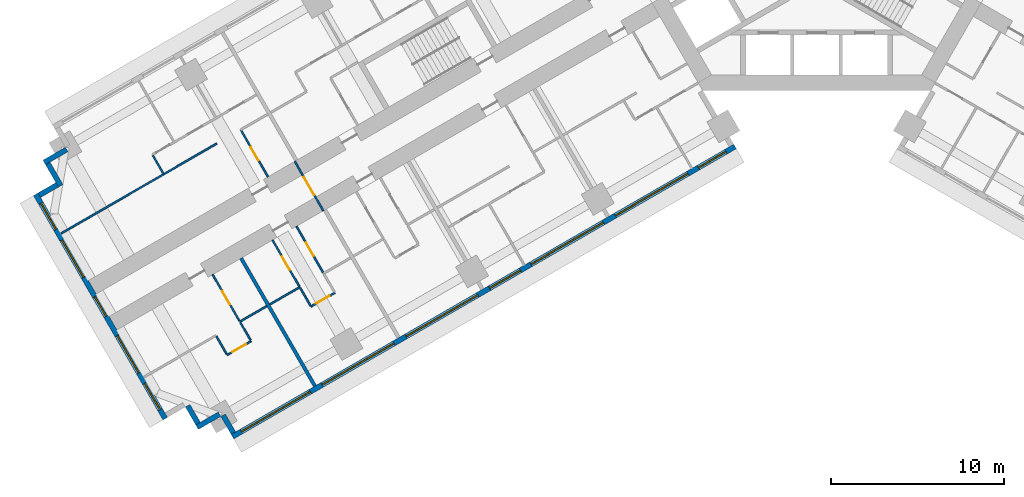
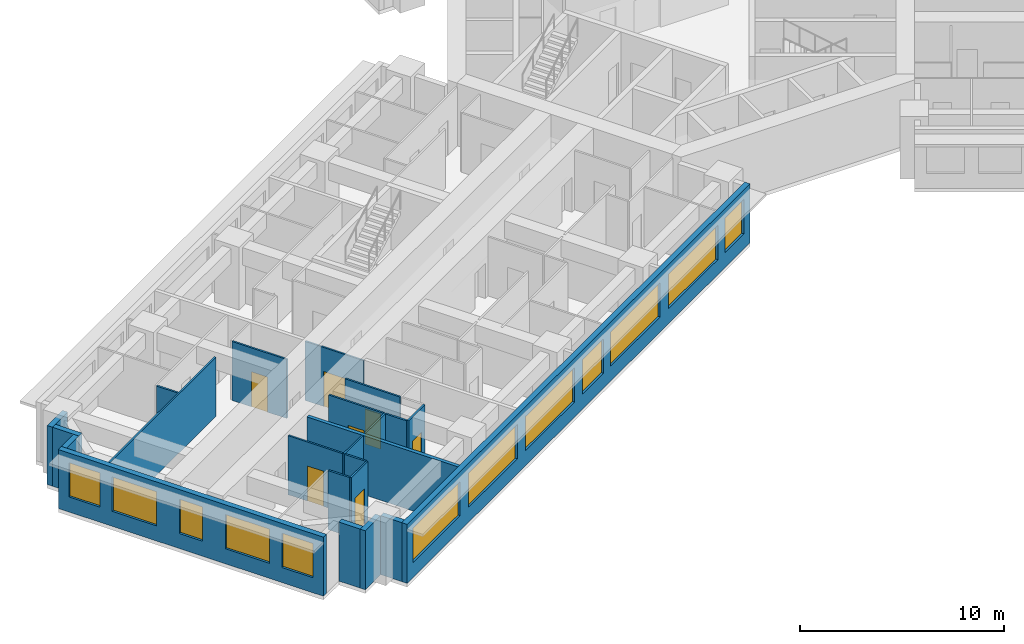
# One storey, part 3 of 16: 23 walls, 12 windows, 7 doors, 19 openings.
"""IFC4 building model written with IfcOpenShell, lengths in metres."""

from ifc_helpers import new_model, si_unit, direction, frame, frame_2d, origin, place, context, subcontext, project, spatial, rectangle, extrude, material, layer, layer_set, type_object, element, fill, save


model = new_model("IFC4")

# Units and contexts
model_context = context("Model", 3, precision=1e-05, world=origin(), true_north=direction((0.0, 1.0)))
body_context = subcontext(model_context, "Body", "Model", "MODEL_VIEW")
ifc_project = project(units=[si_unit("LENGTHUNIT", "METRE"), si_unit("AREAUNIT", "SQUARE_METRE"), si_unit("VOLUMEUNIT", "CUBIC_METRE"), si_unit("PLANEANGLEUNIT", "RADIAN"), si_unit("MASSUNIT", "GRAM", prefix="KILO")], contexts=[model_context])

# Site, building, storey
site_placement = place(None, origin())
site = spatial("IfcSite", under=ifc_project, at=site_placement, CompositionType="ELEMENT")
building_placement = place(site_placement, origin())
building = spatial("IfcBuilding", under=site, at=building_placement, Name="Impinga Residences", CompositionType="ELEMENT")
storey_placement = place(building_placement, frame((0.0, 0.0, 71.0)))
storey = spatial("IfcBuildingStorey", under=building, at=storey_placement, Name="L17", CompositionType="ELEMENT", Elevation=71.0)

# Wall, opening, door
ifc_material_1 = material(Name="Concrete blockwork", Category="masonry")
ifc_layer_1 = layer(ifc_material_1, 0.10009765625)
ifc_layer_set_1 = layer_set([ifc_layer_1], Name="CP1 core room partition, blockwork 100")
wall_type_1 = type_object("IfcWallType", Name="CP1 core room partition, blockwork 100", PredefinedType="PARTITIONING", material=ifc_layer_set_1)
wall_1_placement = place(storey_placement, frame((-28.566162109375, -18.39794921875, 0.0), z_axis=(0.0, 0.0, 1.0), x_axis=(-0.499974350878, 0.866040211805, 0.0)))
wall_1 = element("IfcWall", 1, at=wall_1_placement, inside=storey, type_object=wall_type_1, Name="Core room partition, blockwork L17:W:SCR", PredefinedType="PARTITIONING", context=body_context, shape_type="SweptSolid", body=[
    extrude(rectangle(XDim=3.300048828125, YDim=0.10009765625, at=frame_2d((1.64990234375, 0.0))), origin(), (0.0, 0.0, 1.0), 3.530029296875),
])
opening_1_placement = place(wall_1_placement, frame((1.050048828125, 0.0, 0.0)))
opening_1 = element("IfcOpeningElement", 2, at=opening_1_placement, cuts=wall_1, Name="Opening D3", PredefinedType="OPENING", context=body_context, shape_type="SweptSolid", body=[
    extrude(rectangle(XDim=1.199951171875, YDim=2.10009765625, at=frame_2d((0.60009765625, 1.050048828125))), frame((0.0, 0.06005859375, 0.0), z_axis=(0.0, -1.0, 0.0), x_axis=(1.0, 0.0, 0.0)), (0.0, 0.0, 1.0), 0.1201171875),
])
ifc_material_2 = material(Name="Timber door set", Category="wood")
door_type_1 = type_object("IfcDoorType", Name="D3 room door, leaf and a half 1200x2100", OperationType="DOUBLE_SWING_LEFT", PredefinedType="DOOR", material=ifc_material_2)
door_1_placement = place(opening_1_placement, origin())
door_1 = element("IfcDoor", 3, at=door_1_placement, inside=storey, type_object=door_type_1, Name="Corridor smoke door W", OperationType="DOUBLE_SWING_LEFT", OverallHeight=2.10009765625, OverallWidth=1.199951171875, PredefinedType="DOOR", context=body_context, shape_type="SweptSolid", body=[
    extrude(rectangle(XDim=1.199951171875, YDim=2.10009765625, at=frame_2d((0.60009765625, 1.050048828125))), frame((0.0, 0.02490234375, 0.0), z_axis=(0.0, -1.0, 0.0), x_axis=(1.0, 0.0, 0.0)), (0.0, 0.0, 1.0), 0.050048828125),
])
fill(opening_1, door_1)

# Walls
ifc_material_3 = material(Name="Terracotta rainscreen on blockwork", Category="masonry")
ifc_layer_2 = layer(ifc_material_3, 0.300048828125)
ifc_layer_set_2 = layer_set([ifc_layer_2], Name="EW1 external wall, terracotta rainscreen on blockwork 300")
wall_type_2 = type_object("IfcWallType", Name="EW1 external wall, terracotta rainscreen on blockwork 300", PredefinedType="SOLIDWALL", material=ifc_layer_set_2)
wall_2_placement = place(storey_placement, frame((-33.7685546875, -31.274169921875, 0.0), z_axis=(0.0, 0.0, 1.0), x_axis=(-0.499940577336, 0.866059708757, 0.0)))
element("IfcWall", 4, at=wall_2_placement, inside=storey, type_object=wall_type_2, Name="External wall EW1 L17", PredefinedType="SOLIDWALL", context=body_context, shape_type="SweptSolid", body=[
    extrude(rectangle(XDim=1.195068359375, YDim=0.300048828125, at=frame_2d((0.59765625, 0.0))), origin(), (0.0, 0.0, 1.0), 3.530029296875),
])
wall_3_placement = place(storey_placement, frame((-34.573486328125, -30.18017578125, 0.0), z_axis=(0.0, 0.0, 1.0), x_axis=(-0.866031096941, -0.499990139034, 0.0)))
element("IfcWall", 5, at=wall_3_placement, inside=storey, type_object=wall_type_2, Name="External wall EW1 L17", PredefinedType="SOLIDWALL", context=body_context, shape_type="SweptSolid", body=[
    extrude(rectangle(XDim=1.5, YDim=0.300048828125, at=frame_2d((0.75, 0.0))), origin(), (0.0, 0.0, 1.0), 3.530029296875),
])
wall_4_placement = place(storey_placement, frame((-35.817626953125, -30.72509765625, 0.0), z_axis=(0.0, 0.0, 1.0), x_axis=(-0.499969057507, 0.866043267704, 0.0)))
element("IfcWall", 6, at=wall_4_placement, inside=storey, type_object=wall_type_2, Name="External wall EW1 L17", PredefinedType="SOLIDWALL", context=body_context, shape_type="SweptSolid", body=[
    extrude(rectangle(XDim=1.19970703125, YDim=0.300048828125, at=frame_2d((0.599853515625, 0.0))), origin(), (0.0, 0.0, 1.0), 3.530029296875),
])

# Wall, openings, windows
wall_5_placement = place(storey_placement, frame((-37.716552734375, -30.43603515625, 0.0), z_axis=(0.0, 0.0, 1.0), x_axis=(-0.499997186618, 0.866027028085, 0.0)))
wall_5 = element("IfcWall", 7, at=wall_5_placement, inside=storey, type_object=wall_type_2, Name="External wall EW1 L17", PredefinedType="SOLIDWALL", context=body_context, shape_type="SweptSolid", body=[
    extrude(rectangle(XDim=15.0, YDim=0.300048828125, at=frame_2d((7.5, 0.0))), origin(), (0.0, 0.0, 1.0), 3.530029296875),
])
opening_2_placement = place(wall_5_placement, frame((0.60009765625, 0.0, 0.89990234375)))
opening_2 = element("IfcOpeningElement", 8, at=opening_2_placement, cuts=wall_5, Name="Opening W1", PredefinedType="OPENING", context=body_context, shape_type="SweptSolid", body=[
    extrude(rectangle(XDim=1.75, YDim=2.050048828125, at=frame_2d((0.875, 1.02490234375))), frame((0.0, 0.159912109375, 0.0), z_axis=(0.0, -1.0, 0.0), x_axis=(1.0, 0.0, 0.0)), (0.0, 0.0, 1.0), 0.320068359375),
])
opening_3_placement = place(wall_5_placement, frame((3.050048828125, 0.0, 0.89990234375)))
opening_3 = element("IfcOpeningElement", 9, at=opening_3_placement, cuts=wall_5, Name="Opening W2", PredefinedType="OPENING", context=body_context, shape_type="SweptSolid", body=[
    extrude(rectangle(XDim=2.5, YDim=2.050048828125, at=frame_2d((1.25, 1.02490234375))), frame((0.0, 0.159912109375, 0.0), z_axis=(0.0, -1.0, 0.0), x_axis=(1.0, 0.0, 0.0)), (0.0, 0.0, 1.0), 0.320068359375),
])
opening_4_placement = place(wall_5_placement, frame((6.85009765625, 0.0, 0.89990234375)))
opening_4 = element("IfcOpeningElement", 10, at=opening_4_placement, cuts=wall_5, Name="Opening WE1", PredefinedType="OPENING", context=body_context, shape_type="SweptSolid", body=[
    extrude(rectangle(XDim=1.300048828125, YDim=2.050048828125, at=frame_2d((0.64990234375, 1.02490234375))), frame((0.0, 0.159912109375, 0.0), z_axis=(0.0, -1.0, 0.0), x_axis=(1.0, 0.0, 0.0)), (0.0, 0.0, 1.0), 0.320068359375),
])
opening_5_placement = place(wall_5_placement, frame((9.449951171875, 0.0, 0.89990234375)))
opening_5 = element("IfcOpeningElement", 11, at=opening_5_placement, cuts=wall_5, Name="Opening W2", PredefinedType="OPENING", context=body_context, shape_type="SweptSolid", body=[
    extrude(rectangle(XDim=2.5, YDim=2.050048828125, at=frame_2d((1.25, 1.02490234375))), frame((0.0, 0.159912109375, 0.0), z_axis=(0.0, -1.0, 0.0), x_axis=(1.0, 0.0, 0.0)), (0.0, 0.0, 1.0), 0.320068359375),
])
opening_6_placement = place(wall_5_placement, frame((12.64990234375, 0.0, 0.89990234375)))
opening_6 = element("IfcOpeningElement", 12, at=opening_6_placement, cuts=wall_5, Name="Opening W1", PredefinedType="OPENING", context=body_context, shape_type="SweptSolid", body=[
    extrude(rectangle(XDim=1.75, YDim=2.050048828125, at=frame_2d((0.875, 1.02490234375))), frame((0.0, 0.159912109375, 0.0), z_axis=(0.0, -1.0, 0.0), x_axis=(1.0, 0.0, 0.0)), (0.0, 0.0, 1.0), 0.320068359375),
])
ifc_material_4 = material(Name="Aluminium window, clear double glazing", Category="aluminium")
window_type_1 = type_object("IfcWindowType", Name="W1 ribbon window 1750x2050", PartitioningType="SINGLE_PANEL", PredefinedType="WINDOW", material=ifc_material_4)
window_1_placement = place(opening_2_placement, origin())
window_1 = element("IfcWindow", 13, at=window_1_placement, inside=storey, type_object=window_type_1, Name="Window L17", OverallHeight=2.050048828125, OverallWidth=1.75, PartitioningType="SINGLE_PANEL", PredefinedType="WINDOW", context=body_context, shape_type="SweptSolid", body=[
    extrude(rectangle(XDim=1.75, YDim=2.050048828125, at=frame_2d((0.875, 1.02490234375))), frame((0.0, 0.030029296875, 0.0), z_axis=(0.0, -1.0, 0.0), x_axis=(1.0, 0.0, 0.0)), (0.0, 0.0, 1.0), 0.06005859375),
])
fill(opening_2, window_1)
window_2_placement = place(opening_6_placement, origin())
window_2 = element("IfcWindow", 14, at=window_2_placement, inside=storey, type_object=window_type_1, Name="Window L17", OverallHeight=2.050048828125, OverallWidth=1.75, PartitioningType="SINGLE_PANEL", PredefinedType="WINDOW", context=body_context, shape_type="SweptSolid", body=[
    extrude(rectangle(XDim=1.75, YDim=2.050048828125, at=frame_2d((0.875, 1.02490234375))), frame((0.0, 0.030029296875, 0.0), z_axis=(0.0, -1.0, 0.0), x_axis=(1.0, 0.0, 0.0)), (0.0, 0.0, 1.0), 0.06005859375),
])
fill(opening_6, window_2)
window_type_2 = type_object("IfcWindowType", Name="W2 ribbon window 2500x2050", PartitioningType="SINGLE_PANEL", PredefinedType="WINDOW", material=ifc_material_4)
window_3_placement = place(opening_3_placement, origin())
window_3 = element("IfcWindow", 15, at=window_3_placement, inside=storey, type_object=window_type_2, Name="Window L17", OverallHeight=2.050048828125, OverallWidth=2.5, PartitioningType="SINGLE_PANEL", PredefinedType="WINDOW", context=body_context, shape_type="SweptSolid", body=[
    extrude(rectangle(XDim=2.5, YDim=2.050048828125, at=frame_2d((1.25, 1.02490234375))), frame((0.0, 0.030029296875, 0.0), z_axis=(0.0, -1.0, 0.0), x_axis=(1.0, 0.0, 0.0)), (0.0, 0.0, 1.0), 0.06005859375),
])
fill(opening_3, window_3)
window_4_placement = place(opening_5_placement, origin())
window_4 = element("IfcWindow", 16, at=window_4_placement, inside=storey, type_object=window_type_2, Name="Window L17", OverallHeight=2.050048828125, OverallWidth=2.5, PartitioningType="SINGLE_PANEL", PredefinedType="WINDOW", context=body_context, shape_type="SweptSolid", body=[
    extrude(rectangle(XDim=2.5, YDim=2.050048828125, at=frame_2d((1.25, 1.02490234375))), frame((0.0, 0.030029296875, 0.0), z_axis=(0.0, -1.0, 0.0), x_axis=(1.0, 0.0, 0.0)), (0.0, 0.0, 1.0), 0.06005859375),
])
fill(opening_5, window_4)
window_type_3 = type_object("IfcWindowType", Name="WE1 corridor window 1300x2050", PartitioningType="SINGLE_PANEL", PredefinedType="WINDOW", material=ifc_material_4)
window_5_placement = place(opening_4_placement, origin())
window_5 = element("IfcWindow", 17, at=window_5_placement, inside=storey, type_object=window_type_3, Name="Window L17", OverallHeight=2.050048828125, OverallWidth=1.300048828125, PartitioningType="SINGLE_PANEL", PredefinedType="WINDOW", context=body_context, shape_type="SweptSolid", body=[
    extrude(rectangle(XDim=1.300048828125, YDim=2.050048828125, at=frame_2d((0.64990234375, 1.02490234375))), frame((0.0, 0.030029296875, 0.0), z_axis=(0.0, -1.0, 0.0), x_axis=(1.0, 0.0, 0.0)), (0.0, 0.0, 1.0), 0.06005859375),
])
fill(opening_4, window_5)

# Walls
wall_6_placement = place(storey_placement, frame((-45.01171875, -17.50048828125, 0.0), z_axis=(0.0, 0.0, 1.0), x_axis=(0.866059708757, 0.499940577336, 0.0)))
element("IfcWall", 18, at=wall_6_placement, inside=storey, type_object=wall_type_2, Name="External wall EW1 L17", PredefinedType="SOLIDWALL", context=body_context, shape_type="SweptSolid", body=[
    extrude(rectangle(XDim=1.195068359375, YDim=0.300048828125, at=frame_2d((0.59765625, 0.0))), origin(), (0.0, 0.0, 1.0), 3.530029296875),
])
for number, where, z_axis, x_axis, name in (
    (19, (-43.767578125, -16.955322265625, 0.0), (0.0, 0.0, 1.0), (-0.499990139034, 0.866031096941, 0.0), "External wall EW1 L17"),
    (20, (-44.722412109375, -15.6015625, 0.0), (0.0, 0.0, 1.0), (0.866031096941, 0.499990139034, 0.0), "External wall EW1 L17"),
):
    element("IfcWall", number, at=place(storey_placement, frame(where, z_axis=z_axis, x_axis=x_axis)), inside=storey, type_object=wall_type_2, Name=name, PredefinedType="SOLIDWALL", context=body_context, shape_type="SweptSolid", body=[
        extrude(rectangle(XDim=1.5, YDim=0.300048828125, at=frame_2d((0.75, 0.0))), origin(), (0.0, 0.0, 1.0), 3.530029296875),
    ])

# Wall, openings, windows
wall_7_placement = place(storey_placement, frame((-4.72509765625, -14.67919921875, 0.0), z_axis=(0.0, 0.0, 1.0), x_axis=(-0.866024291668, -0.500001926238, 0.0)))
wall_7 = element("IfcWall", 21, at=wall_7_placement, inside=storey, type_object=wall_type_2, Name="External wall EW1 L17", PredefinedType="SOLIDWALL", context=body_context, shape_type="SweptSolid", body=[
    extrude(rectangle(XDim=33.599853515625, YDim=0.300048828125, at=frame_2d((16.7998046875, 0.0))), origin(), (0.0, 0.0, 1.0), 3.530029296875),
])
opening_7_placement = place(wall_7_placement, frame((0.60009765625, 0.0, 0.89990234375)))
opening_7 = element("IfcOpeningElement", 22, at=opening_7_placement, cuts=wall_7, Name="Opening W15", PredefinedType="OPENING", context=body_context, shape_type="SweptSolid", body=[
    extrude(rectangle(XDim=1.85009765625, YDim=2.050048828125, at=frame_2d((0.925048828125, 1.02490234375))), frame((0.0, 0.159912109375, 0.0), z_axis=(0.0, -1.0, 0.0), x_axis=(1.0, 0.0, 0.0)), (0.0, 0.0, 1.0), 0.320068359375),
])
opening_8_placement = place(wall_7_placement, frame((3.14990234375, 0.0, 0.89990234375)))
opening_8 = element("IfcOpeningElement", 23, at=opening_8_placement, cuts=wall_7, Name="Opening W6", PredefinedType="OPENING", context=body_context, shape_type="SweptSolid", body=[
    extrude(rectangle(XDim=4.85009765625, YDim=2.050048828125, at=frame_2d((2.425048828125, 1.02490234375))), frame((0.0, 0.159912109375, 0.0), z_axis=(0.0, -1.0, 0.0), x_axis=(1.0, 0.0, 0.0)), (0.0, 0.0, 1.0), 0.320068359375),
])
opening_9_placement = place(wall_7_placement, frame((8.800048828125, 0.0, 0.89990234375)))
opening_9 = element("IfcOpeningElement", 24, at=opening_9_placement, cuts=wall_7, Name="Opening W6", PredefinedType="OPENING", context=body_context, shape_type="SweptSolid", body=[
    extrude(rectangle(XDim=4.85009765625, YDim=2.050048828125, at=frame_2d((2.425048828125, 1.02490234375))), frame((0.0, 0.159912109375, 0.0), z_axis=(0.0, -1.0, 0.0), x_axis=(1.0, 0.0, 0.0)), (0.0, 0.0, 1.0), 0.320068359375),
])
opening_10_placement = place(wall_7_placement, frame((14.35009765625, 0.0, 0.89990234375)))
opening_10 = element("IfcOpeningElement", 25, at=opening_10_placement, cuts=wall_7, Name="Opening W14", PredefinedType="OPENING", context=body_context, shape_type="SweptSolid", body=[
    extrude(rectangle(XDim=2.050048828125, YDim=2.050048828125, at=frame_2d((1.02490234375, 1.02490234375))), frame((0.0, 0.159912109375, 0.0), z_axis=(0.0, -1.0, 0.0), x_axis=(1.0, 0.0, 0.0)), (0.0, 0.0, 1.0), 0.320068359375),
])
opening_11_placement = place(wall_7_placement, frame((17.199951171875, 0.0, 0.89990234375)))
opening_11 = element("IfcOpeningElement", 26, at=opening_11_placement, cuts=wall_7, Name="Opening W8", PredefinedType="OPENING", context=body_context, shape_type="SweptSolid", body=[
    extrude(rectangle(XDim=4.800048828125, YDim=2.050048828125, at=frame_2d((2.39990234375, 1.02490234375))), frame((0.0, 0.159912109375, 0.0), z_axis=(0.0, -1.0, 0.0), x_axis=(1.0, 0.0, 0.0)), (0.0, 0.0, 1.0), 0.320068359375),
])
opening_12_placement = place(wall_7_placement, frame((22.800048828125, 0.0, 0.89990234375)))
opening_12 = element("IfcOpeningElement", 27, at=opening_12_placement, cuts=wall_7, Name="Opening W8", PredefinedType="OPENING", context=body_context, shape_type="SweptSolid", body=[
    extrude(rectangle(XDim=4.800048828125, YDim=2.050048828125, at=frame_2d((2.39990234375, 1.02490234375))), frame((0.0, 0.159912109375, 0.0), z_axis=(0.0, -1.0, 0.0), x_axis=(1.0, 0.0, 0.0)), (0.0, 0.0, 1.0), 0.320068359375),
])
opening_13_placement = place(wall_7_placement, frame((28.39990234375, 0.0, 0.89990234375)))
opening_13 = element("IfcOpeningElement", 28, at=opening_13_placement, cuts=wall_7, Name="Opening W3", PredefinedType="OPENING", context=body_context, shape_type="SweptSolid", body=[
    extrude(rectangle(XDim=4.60009765625, YDim=2.050048828125, at=frame_2d((2.300048828125, 1.02490234375))), frame((0.0, 0.159912109375, 0.0), z_axis=(0.0, -1.0, 0.0), x_axis=(1.0, 0.0, 0.0)), (0.0, 0.0, 1.0), 0.320068359375),
])
window_type_4 = type_object("IfcWindowType", Name="W14 ribbon window 2050x2050", PartitioningType="SINGLE_PANEL", PredefinedType="WINDOW", material=ifc_material_4)
window_6_placement = place(opening_10_placement, origin())
window_6 = element("IfcWindow", 29, at=window_6_placement, inside=storey, type_object=window_type_4, Name="Window L17", OverallHeight=2.050048828125, OverallWidth=2.050048828125, PartitioningType="SINGLE_PANEL", PredefinedType="WINDOW", context=body_context, shape_type="SweptSolid", body=[
    extrude(rectangle(XDim=2.050048828125, YDim=2.050048828125, at=frame_2d((1.02490234375, 1.02490234375))), frame((0.0, 0.030029296875, 0.0), z_axis=(0.0, -1.0, 0.0), x_axis=(1.0, 0.0, 0.0)), (0.0, 0.0, 1.0), 0.06005859375),
])
fill(opening_10, window_6)
window_type_5 = type_object("IfcWindowType", Name="W15 ribbon window 1850x2050", PartitioningType="SINGLE_PANEL", PredefinedType="WINDOW", material=ifc_material_4)
window_7_placement = place(opening_7_placement, origin())
window_7 = element("IfcWindow", 30, at=window_7_placement, inside=storey, type_object=window_type_5, Name="Window L17", OverallHeight=2.050048828125, OverallWidth=1.85009765625, PartitioningType="SINGLE_PANEL", PredefinedType="WINDOW", context=body_context, shape_type="SweptSolid", body=[
    extrude(rectangle(XDim=1.85009765625, YDim=2.050048828125, at=frame_2d((0.925048828125, 1.02490234375))), frame((0.0, 0.030029296875, 0.0), z_axis=(0.0, -1.0, 0.0), x_axis=(1.0, 0.0, 0.0)), (0.0, 0.0, 1.0), 0.06005859375),
])
fill(opening_7, window_7)
window_type_6 = type_object("IfcWindowType", Name="W3 ribbon window 4600x2050", PartitioningType="SINGLE_PANEL", PredefinedType="WINDOW", material=ifc_material_4)
window_8_placement = place(opening_13_placement, origin())
window_8 = element("IfcWindow", 31, at=window_8_placement, inside=storey, type_object=window_type_6, Name="Window L17", OverallHeight=2.050048828125, OverallWidth=4.60009765625, PartitioningType="SINGLE_PANEL", PredefinedType="WINDOW", context=body_context, shape_type="SweptSolid", body=[
    extrude(rectangle(XDim=4.60009765625, YDim=2.050048828125, at=frame_2d((2.300048828125, 1.02490234375))), frame((0.0, 0.030029296875, 0.0), z_axis=(0.0, -1.0, 0.0), x_axis=(1.0, 0.0, 0.0)), (0.0, 0.0, 1.0), 0.06005859375),
])
fill(opening_13, window_8)
window_type_7 = type_object("IfcWindowType", Name="W6 ribbon window 4850x2050", PartitioningType="SINGLE_PANEL", PredefinedType="WINDOW", material=ifc_material_4)
window_9_placement = place(opening_8_placement, origin())
window_9 = element("IfcWindow", 32, at=window_9_placement, inside=storey, type_object=window_type_7, Name="Window L17", OverallHeight=2.050048828125, OverallWidth=4.85009765625, PartitioningType="SINGLE_PANEL", PredefinedType="WINDOW", context=body_context, shape_type="SweptSolid", body=[
    extrude(rectangle(XDim=4.85009765625, YDim=2.050048828125, at=frame_2d((2.425048828125, 1.02490234375))), frame((0.0, 0.030029296875, 0.0), z_axis=(0.0, -1.0, 0.0), x_axis=(1.0, 0.0, 0.0)), (0.0, 0.0, 1.0), 0.06005859375),
])
fill(opening_8, window_9)
window_10_placement = place(opening_9_placement, origin())
window_10 = element("IfcWindow", 33, at=window_10_placement, inside=storey, type_object=window_type_7, Name="Window L17", OverallHeight=2.050048828125, OverallWidth=4.85009765625, PartitioningType="SINGLE_PANEL", PredefinedType="WINDOW", context=body_context, shape_type="SweptSolid", body=[
    extrude(rectangle(XDim=4.85009765625, YDim=2.050048828125, at=frame_2d((2.425048828125, 1.02490234375))), frame((0.0, 0.030029296875, 0.0), z_axis=(0.0, -1.0, 0.0), x_axis=(1.0, 0.0, 0.0)), (0.0, 0.0, 1.0), 0.06005859375),
])
fill(opening_9, window_10)
window_type_8 = type_object("IfcWindowType", Name="W8 ribbon window 4800x2050", PartitioningType="SINGLE_PANEL", PredefinedType="WINDOW", material=ifc_material_4)
window_11_placement = place(opening_11_placement, origin())
window_11 = element("IfcWindow", 34, at=window_11_placement, inside=storey, type_object=window_type_8, Name="Window L17", OverallHeight=2.050048828125, OverallWidth=4.800048828125, PartitioningType="SINGLE_PANEL", PredefinedType="WINDOW", context=body_context, shape_type="SweptSolid", body=[
    extrude(rectangle(XDim=4.800048828125, YDim=2.050048828125, at=frame_2d((2.39990234375, 1.02490234375))), frame((0.0, 0.030029296875, 0.0), z_axis=(0.0, -1.0, 0.0), x_axis=(1.0, 0.0, 0.0)), (0.0, 0.0, 1.0), 0.06005859375),
])
fill(opening_11, window_11)
window_12_placement = place(opening_12_placement, origin())
window_12 = element("IfcWindow", 35, at=window_12_placement, inside=storey, type_object=window_type_8, Name="Window L17", OverallHeight=2.050048828125, OverallWidth=4.800048828125, PartitioningType="SINGLE_PANEL", PredefinedType="WINDOW", context=body_context, shape_type="SweptSolid", body=[
    extrude(rectangle(XDim=4.800048828125, YDim=2.050048828125, at=frame_2d((2.39990234375, 1.02490234375))), frame((0.0, 0.030029296875, 0.0), z_axis=(0.0, -1.0, 0.0), x_axis=(1.0, 0.0, 0.0)), (0.0, 0.0, 1.0), 0.06005859375),
])
fill(opening_12, window_12)

# Wall
ifc_material_5 = material(Name="Gypsum board on steel studs", Category="steel")
ifc_layer_3 = layer(ifc_material_5, 0.10009765625)
ifc_layer_set_3 = layer_set([ifc_layer_3], Name="Gypsum board on steel studs")
wall_type_3 = type_object("IfcWallType", Name="IP1 partition 100", PredefinedType="PARTITIONING", material=ifc_layer_set_3)
wall_8_placement = place(storey_placement, frame((-29.93017578125, -22.82275390625, 0.0), z_axis=(0.0, 0.0, 1.0), x_axis=(-0.866010750942, -0.50002537861, 0.0)))
element("IfcWall", 36, at=wall_8_placement, inside=storey, type_object=wall_type_3, Name="Partition L17-WA4:DIV1", PredefinedType="PARTITIONING", context=body_context, shape_type="SweptSolid", body=[
    extrude(rectangle(XDim=2.0, YDim=0.10009765625, at=frame_2d((1.0, 0.0))), origin(), (0.0, 0.0, 1.0), 3.530029296875),
])

# Wall, opening, door
wall_9_placement = place(storey_placement, frame((-27.89453125, -23.1484375, 0.0), z_axis=(0.0, 0.0, 1.0), x_axis=(-0.865989903783, -0.500061482766, 0.0)))
wall_9 = element("IfcWall", 37, at=wall_9_placement, inside=storey, type_object=wall_type_3, Name="Partition L17-WA4:STRIP", PredefinedType="PARTITIONING", context=body_context, shape_type="SweptSolid", body=[
    extrude(rectangle(XDim=1.599853515625, YDim=0.10009765625, at=frame_2d((0.7998046875, 0.0))), origin(), (0.0, 0.0, 1.0), 3.530029296875),
])
opening_14_placement = place(wall_9_placement, frame((0.35009765625, 0.0, 0.0)))
opening_14 = element("IfcOpeningElement", 38, at=opening_14_placement, cuts=wall_9, Name="Opening D2", PredefinedType="OPENING", context=body_context, shape_type="SweptSolid", body=[
    extrude(rectangle(XDim=0.89990234375, YDim=2.10009765625, at=frame_2d((0.449951171875, 1.050048828125))), frame((0.0, 0.06005859375, 0.0), z_axis=(0.0, -1.0, 0.0), x_axis=(1.0, 0.0, 0.0)), (0.0, 0.0, 1.0), 0.1201171875),
])
door_type_2 = type_object("IfcDoorType", Name="D2 internal door 900x2100", OperationType="SINGLE_SWING_LEFT", PredefinedType="DOOR", material=ifc_material_2)
door_2_placement = place(opening_14_placement, origin())
door_2 = element("IfcDoor", 39, at=door_2_placement, inside=storey, type_object=door_type_2, Name="Apartment L17-WA4 room door", OperationType="SINGLE_SWING_LEFT", OverallHeight=2.10009765625, OverallWidth=0.89990234375, PredefinedType="DOOR", context=body_context, shape_type="SweptSolid", body=[
    extrude(rectangle(XDim=0.89990234375, YDim=2.10009765625, at=frame_2d((0.449951171875, 1.050048828125))), frame((0.0, 0.02490234375, 0.0), z_axis=(0.0, -1.0, 0.0), x_axis=(1.0, 0.0, 0.0)), (0.0, 0.0, 1.0), 0.050048828125),
])
fill(opening_14, door_2)

# Wall
wall_10_placement = place(storey_placement, frame((-29.905029296875, -22.865966796875, 0.0), z_axis=(0.0, 0.0, 1.0), x_axis=(0.499880961361, -0.866094119867, 0.0)))
element("IfcWall", 40, at=wall_10_placement, inside=storey, type_object=wall_type_3, Name="Partition L17-WA4:SE1", PredefinedType="PARTITIONING", context=body_context, shape_type="SweptSolid", body=[
    extrude(rectangle(XDim=1.199951171875, YDim=0.10009765625, at=frame_2d((0.60009765625, 0.0))), origin(), (0.0, 0.0, 1.0), 3.530029296875),
])

# Wall, opening, door
wall_11_placement = place(storey_placement, frame((-30.119384765625, -19.294677734375, 0.0), z_axis=(0.0, 0.0, 1.0), x_axis=(0.49999285859, -0.86602952684, 0.0)))
wall_11 = element("IfcWall", 41, at=wall_11_placement, inside=storey, type_object=wall_type_3, Name="Partition L17-WA4:IB1", PredefinedType="PARTITIONING", context=body_context, shape_type="SweptSolid", body=[
    extrude(rectangle(XDim=3.10009765625, YDim=0.10009765625, at=frame_2d((1.550048828125, 0.0))), origin(), (0.0, 0.0, 1.0), 3.530029296875),
])
opening_15_placement = place(wall_11_placement, frame((1.10009765625, 0.0, 0.0)))
opening_15 = element("IfcOpeningElement", 42, at=opening_15_placement, cuts=wall_11, Name="Opening D2", PredefinedType="OPENING", context=body_context, shape_type="SweptSolid", body=[
    extrude(rectangle(XDim=0.89990234375, YDim=2.10009765625, at=frame_2d((0.449951171875, 1.050048828125))), frame((0.0, 0.06005859375, 0.0), z_axis=(0.0, -1.0, 0.0), x_axis=(1.0, 0.0, 0.0)), (0.0, 0.0, 1.0), 0.1201171875),
])
door_3_placement = place(opening_15_placement, origin())
door_3 = element("IfcDoor", 43, at=door_3_placement, inside=storey, type_object=door_type_2, Name="Apartment L17-WA4 bathroom door", OperationType="SINGLE_SWING_LEFT", OverallHeight=2.10009765625, OverallWidth=0.89990234375, PredefinedType="DOOR", context=body_context, shape_type="SweptSolid", body=[
    extrude(rectangle(XDim=0.89990234375, YDim=2.10009765625, at=frame_2d((0.449951171875, 1.050048828125))), frame((0.0, 0.02490234375, 0.0), z_axis=(0.0, -1.0, 0.0), x_axis=(1.0, 0.0, 0.0)), (0.0, 0.0, 1.0), 0.050048828125),
])
fill(opening_15, door_3)

wall_12_placement = place(storey_placement, frame((-31.505126953125, -20.0947265625, 0.0), z_axis=(0.0, 0.0, 1.0), x_axis=(0.500026960575, -0.86600983753, 0.0)))
wall_12 = element("IfcWall", 44, at=wall_12_placement, inside=storey, type_object=wall_type_3, Name="Partition L17-WA4:IB2", PredefinedType="PARTITIONING", context=body_context, shape_type="SweptSolid", body=[
    extrude(rectangle(XDim=3.099853515625, YDim=0.10009765625, at=frame_2d((1.5498046875, 0.0))), origin(), (0.0, 0.0, 1.0), 3.530029296875),
])
opening_16_placement = place(wall_12_placement, frame((1.10009765625, 0.0, 0.0)))
opening_16 = element("IfcOpeningElement", 45, at=opening_16_placement, cuts=wall_12, Name="Opening D2", PredefinedType="OPENING", context=body_context, shape_type="SweptSolid", body=[
    extrude(rectangle(XDim=0.89990234375, YDim=2.10009765625, at=frame_2d((0.449951171875, 1.050048828125))), frame((0.0, 0.06005859375, 0.0), z_axis=(0.0, -1.0, 0.0), x_axis=(1.0, 0.0, 0.0)), (0.0, 0.0, 1.0), 0.1201171875),
])
door_4_placement = place(opening_16_placement, origin())
door_4 = element("IfcDoor", 46, at=door_4_placement, inside=storey, type_object=door_type_2, Name="Apartment L17-WA4 WC door", OperationType="SINGLE_SWING_LEFT", OverallHeight=2.10009765625, OverallWidth=0.89990234375, PredefinedType="DOOR", context=body_context, shape_type="SweptSolid", body=[
    extrude(rectangle(XDim=0.89990234375, YDim=2.10009765625, at=frame_2d((0.449951171875, 1.050048828125))), frame((0.0, 0.02490234375, 0.0), z_axis=(0.0, -1.0, 0.0), x_axis=(1.0, 0.0, 0.0)), (0.0, 0.0, 1.0), 0.050048828125),
])
fill(opening_16, door_4)

# Wall
wall_13_placement = place(storey_placement, frame((-31.835205078125, -23.922607421875, 0.0), z_axis=(0.0, 0.0, 1.0), x_axis=(-0.865989075817, -0.500062916607, 0.0)))
element("IfcWall", 47, at=wall_13_placement, inside=storey, type_object=wall_type_3, Name="Partition L17-WA5:DIV0", PredefinedType="PARTITIONING", context=body_context, shape_type="SweptSolid", body=[
    extrude(rectangle(XDim=1.800048828125, YDim=0.10009765625, at=frame_2d((0.89990234375, 0.0))), origin(), (0.0, 0.0, 1.0), 3.530029296875),
])

# Wall, opening, door
wall_14_placement = place(storey_placement, frame((-32.744140625, -25.948486328125, 0.0), z_axis=(0.0, 0.0, 1.0), x_axis=(-0.866028054938, -0.499995408039, 0.0)))
wall_14 = element("IfcWall", 48, at=wall_14_placement, inside=storey, type_object=wall_type_3, Name="Partition L17-WA5:STRIP", PredefinedType="PARTITIONING", context=body_context, shape_type="SweptSolid", body=[
    extrude(rectangle(XDim=1.60009765625, YDim=0.10009765625, at=frame_2d((0.800048828125, 0.0))), origin(), (0.0, 0.0, 1.0), 3.530029296875),
])
opening_17_placement = place(wall_14_placement, frame((0.35009765625, 0.0, 0.0)))
opening_17 = element("IfcOpeningElement", 49, at=opening_17_placement, cuts=wall_14, Name="Opening D2", PredefinedType="OPENING", context=body_context, shape_type="SweptSolid", body=[
    extrude(rectangle(XDim=0.89990234375, YDim=2.10009765625, at=frame_2d((0.449951171875, 1.050048828125))), frame((0.0, 0.06005859375, 0.0), z_axis=(0.0, -1.0, 0.0), x_axis=(1.0, 0.0, 0.0)), (0.0, 0.0, 1.0), 0.1201171875),
])
door_5_placement = place(opening_17_placement, origin())
door_5 = element("IfcDoor", 50, at=door_5_placement, inside=storey, type_object=door_type_2, Name="Apartment L17-WA5 room door", OperationType="SINGLE_SWING_LEFT", OverallHeight=2.10009765625, OverallWidth=0.89990234375, PredefinedType="DOOR", context=body_context, shape_type="SweptSolid", body=[
    extrude(rectangle(XDim=0.89990234375, YDim=2.10009765625, at=frame_2d((0.449951171875, 1.050048828125))), frame((0.0, 0.02490234375, 0.0), z_axis=(0.0, -1.0, 0.0), x_axis=(1.0, 0.0, 0.0)), (0.0, 0.0, 1.0), 0.050048828125),
])
fill(opening_17, door_5)

# Walls
for number, where, z_axis, x_axis, name in (
    (51, (-33.369140625, -24.865966796875, 0.0), (0.0, 0.0, 1.0), (0.500033551112, -0.866006032174, 0.0), "Partition L17-WA5:SE0"),
    (52, (-34.7548828125, -25.666015625, 0.0), (0.0, 0.0, 1.0), (0.500033551112, -0.866006032174, 0.0), "Partition L17-WA5:SE1"),
):
    element("IfcWall", number, at=place(storey_placement, frame(where, z_axis=z_axis, x_axis=x_axis)), inside=storey, type_object=wall_type_3, Name=name, PredefinedType="PARTITIONING", context=body_context, shape_type="SweptSolid", body=[
        extrude(rectangle(XDim=1.2001953125, YDim=0.10009765625, at=frame_2d((0.60009765625, 0.0))), origin(), (0.0, 0.0, 1.0), 3.530029296875),
    ])

# Wall, opening, door
wall_15_placement = place(storey_placement, frame((-34.96923828125, -22.0947265625, 0.0), z_axis=(0.0, 0.0, 1.0), x_axis=(0.500026960575, -0.86600983753, 0.0)))
wall_15 = element("IfcWall", 53, at=wall_15_placement, inside=storey, type_object=wall_type_3, Name="Partition L17-WA5:IB1", PredefinedType="PARTITIONING", context=body_context, shape_type="SweptSolid", body=[
    extrude(rectangle(XDim=3.099853515625, YDim=0.10009765625, at=frame_2d((1.5498046875, 0.0))), origin(), (0.0, 0.0, 1.0), 3.530029296875),
])
opening_18_placement = place(wall_15_placement, frame((1.10009765625, 0.0, 0.0)))
opening_18 = element("IfcOpeningElement", 54, at=opening_18_placement, cuts=wall_15, Name="Opening D2", PredefinedType="OPENING", context=body_context, shape_type="SweptSolid", body=[
    extrude(rectangle(XDim=0.89990234375, YDim=2.10009765625, at=frame_2d((0.449951171875, 1.050048828125))), frame((0.0, 0.06005859375, 0.0), z_axis=(0.0, -1.0, 0.0), x_axis=(1.0, 0.0, 0.0)), (0.0, 0.0, 1.0), 0.1201171875),
])
door_6_placement = place(opening_18_placement, origin())
door_6 = element("IfcDoor", 55, at=door_6_placement, inside=storey, type_object=door_type_2, Name="Apartment L17-WA5 bathroom door", OperationType="SINGLE_SWING_LEFT", OverallHeight=2.10009765625, OverallWidth=0.89990234375, PredefinedType="DOOR", context=body_context, shape_type="SweptSolid", body=[
    extrude(rectangle(XDim=0.89990234375, YDim=2.10009765625, at=frame_2d((0.449951171875, 1.050048828125))), frame((0.0, 0.02490234375, 0.0), z_axis=(0.0, -1.0, 0.0), x_axis=(1.0, 0.0, 0.0)), (0.0, 0.0, 1.0), 0.050048828125),
])
fill(opening_18, door_6)

# Walls
wall_16_placement = place(storey_placement, frame((-34.72998046875, -14.5087890625, 0.0), z_axis=(0.0, 0.0, 1.0), x_axis=(-0.866031564966, -0.499989328369, 0.0)))
element("IfcWall", 56, at=wall_16_placement, inside=storey, type_object=wall_type_3, Name="Partition L17-WF3:DIV1", PredefinedType="PARTITIONING", context=body_context, shape_type="SweptSolid", body=[
    extrude(rectangle(XDim=10.400146484375, YDim=0.10009765625, at=frame_2d((5.2001953125, 0.0))), origin(), (0.0, 0.0, 1.0), 3.530029296875),
])
wall_17_placement = place(storey_placement, frame((-37.829345703125, -16.240478515625, 0.0), z_axis=(0.0, 0.0, 1.0), x_axis=(-0.50012165622, 0.865955154139, 0.0)))
element("IfcWall", 57, at=wall_17_placement, inside=storey, type_object=wall_type_3, Name="Partition L17-WF3:SE1", PredefinedType="PARTITIONING", context=body_context, shape_type="SweptSolid", body=[
    extrude(rectangle(XDim=1.199951171875, YDim=0.10009765625, at=frame_2d((0.60009765625, 0.0))), origin(), (0.0, 0.0, 1.0), 3.530029296875),
])

# Wall, opening, door
wall_18_placement = place(storey_placement, frame((-31.76953125, -16.436767578125, 0.0), z_axis=(0.0, 0.0, 1.0), x_axis=(-0.499967891604, 0.866043940782, 0.0)))
wall_18 = element("IfcWall", 58, at=wall_18_placement, inside=storey, type_object=wall_type_3, Name="Partition L17-WF3:IB1", PredefinedType="PARTITIONING", context=body_context, shape_type="SweptSolid", body=[
    extrude(rectangle(XDim=3.099853515625, YDim=0.10009765625, at=frame_2d((1.5498046875, 0.0))), origin(), (0.0, 0.0, 1.0), 3.530029296875),
])
opening_19_placement = place(wall_18_placement, frame((1.10009765625, 0.0, 0.0)))
opening_19 = element("IfcOpeningElement", 59, at=opening_19_placement, cuts=wall_18, Name="Opening D2", PredefinedType="OPENING", context=body_context, shape_type="SweptSolid", body=[
    extrude(rectangle(XDim=0.89990234375, YDim=2.10009765625, at=frame_2d((0.449951171875, 1.050048828125))), frame((0.0, 0.06005859375, 0.0), z_axis=(0.0, -1.0, 0.0), x_axis=(1.0, 0.0, 0.0)), (0.0, 0.0, 1.0), 0.1201171875),
])
door_7_placement = place(opening_19_placement, origin())
door_7 = element("IfcDoor", 60, at=door_7_placement, inside=storey, type_object=door_type_2, Name="Apartment L17-WF3 bathroom door", OperationType="SINGLE_SWING_LEFT", OverallHeight=2.10009765625, OverallWidth=0.89990234375, PredefinedType="DOOR", context=body_context, shape_type="SweptSolid", body=[
    extrude(rectangle(XDim=0.89990234375, YDim=2.10009765625, at=frame_2d((0.449951171875, 1.050048828125))), frame((0.0, 0.02490234375, 0.0), z_axis=(0.0, -1.0, 0.0), x_axis=(1.0, 0.0, 0.0)), (0.0, 0.0, 1.0), 0.050048828125),
])
fill(opening_19, door_7)

# Wall
ifc_layer_4 = layer(ifc_material_1, 0.199951171875)
ifc_layer_set_4 = layer_set([ifc_layer_4], Name="PW1 party wall between apartments 200")
wall_type_4 = type_object("IfcWallType", Name="PW1 party wall between apartments 200", PredefinedType="SOLIDWALL", material=ifc_layer_set_4)
wall_19_placement = place(storey_placement, frame((-33.32373046875, -21.144775390625, 0.0), z_axis=(0.0, 0.0, 1.0), x_axis=(0.499990227581, -0.86603104582, 0.0)))
element("IfcWall", 61, at=wall_19_placement, inside=storey, type_object=wall_type_4, Name="Party wall between apartments L17-WA4:PARTY", PredefinedType="SOLIDWALL", context=body_context, shape_type="SweptSolid", body=[
    extrude(rectangle(XDim=8.550048828125, YDim=0.199951171875, at=frame_2d((4.27490234375, 0.0))), origin(), (0.0, 0.0, 1.0), 3.530029296875),
])

save(model, "model.ifc")
